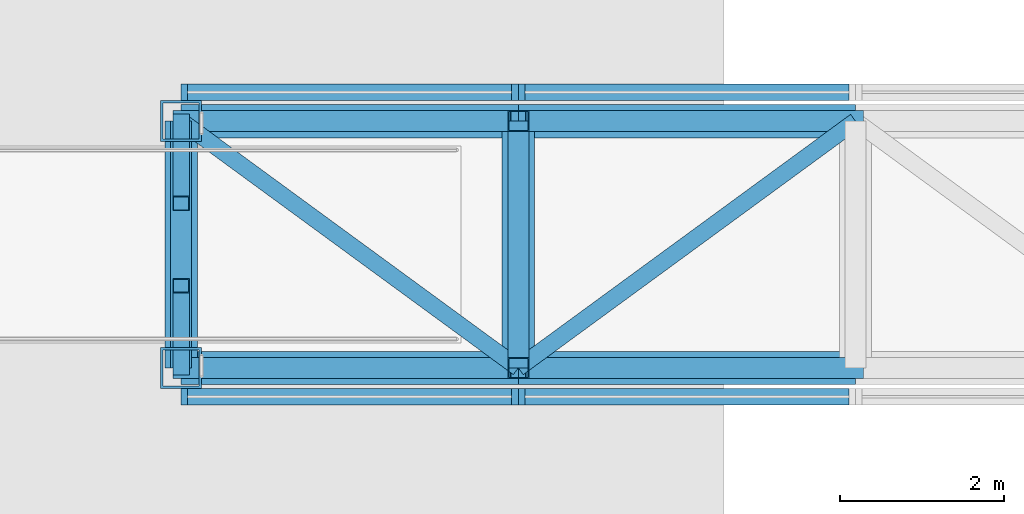
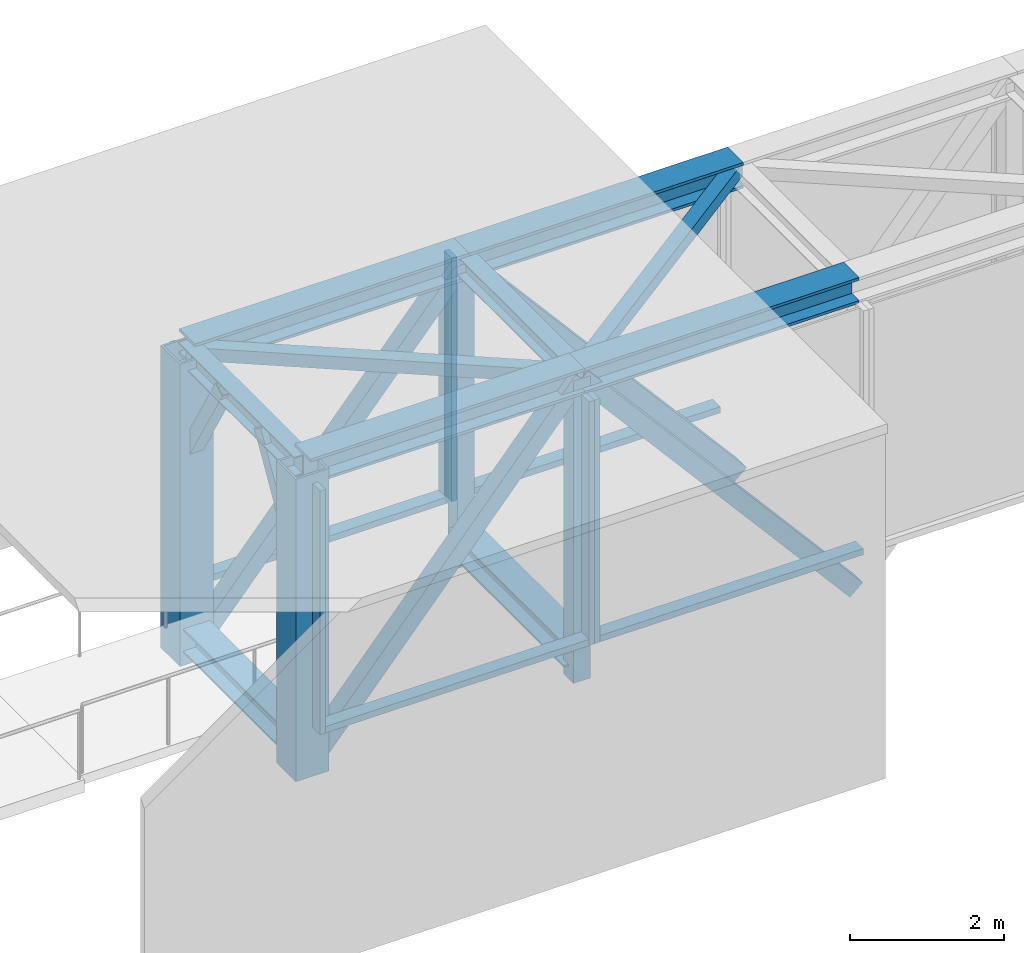
# One storey, part 6 of 28: 26 members, 4 beams, 4 elements without a shape of their own.
"""IFC4 building model written with IfcOpenShell, lengths in metres."""

from ifc_helpers import new_model, si_unit, direction, frame, origin, origin_2d, place, context, subcontext, project, spatial, rectangle, hollow_rectangle, i_section, extrude, material, material_profile, profile_set, type_object, element, aggregate, save


model = new_model("IFC4")

# Units and contexts
model_context = context("Model", 3, precision=1e-05, world=origin(), true_north=direction((0.0, 1.0)))
body_context = subcontext(model_context, "Body", "Model", "MODEL_VIEW")
ifc_project = project(units=[si_unit("LENGTHUNIT", "METRE"), si_unit("AREAUNIT", "SQUARE_METRE"), si_unit("VOLUMEUNIT", "CUBIC_METRE"), si_unit("PLANEANGLEUNIT", "RADIAN"), si_unit("MASSUNIT", "GRAM", prefix="KILO")], contexts=[model_context])

# Site, building, storey
site_placement = place(None, origin())
site = spatial("IfcSite", under=ifc_project, at=site_placement, CompositionType="ELEMENT")
building_placement = place(site_placement, origin())
building = spatial("IfcBuilding", under=site, at=building_placement, Name="Iwan Alto Co-Living Towers", CompositionType="ELEMENT")
storey_placement = place(building_placement, frame((0.0, 0.0, 98.0)))
storey = spatial("IfcBuildingStorey", under=building, at=storey_placement, Name="L26", CompositionType="ELEMENT", Elevation=98.0)

# Members
ifc_material_1 = material(Name="Steel ASTM A572 Gr 50", Category="steel")
ifc_material_profile_1 = material_profile(ifc_material_1, hollow_rectangle(XDim=0.5, YDim=0.5, WallThickness=0.031982421875, at=origin_2d()), Name="BOX 500X500X32")
ifc_profile_set_1 = profile_set([ifc_material_profile_1], Name="Steel ASTM A572 Gr 50")
member_type_1 = type_object("IfcMemberType", Name="BRIDGE END POST BOX 500X500X32", PredefinedType="POST", material=ifc_profile_set_1)
for number, where, z_axis, x_axis, name in (
    (1, (31.89990234375, -1.5, -0.779052734375), (0.0, 0.0, 1.0), (1.0, 0.0, 0.0), "BR1 truss S end post 1"),
    (2, (31.89990234375, 1.5, -0.779052734375), (0.0, 0.0, 1.0), (1.0, 0.0, 0.0), "BR1 truss N end post 1"),
):
    element("IfcMember", number, at=place(storey_placement, frame(where, z_axis=z_axis, x_axis=x_axis)), inside=storey, type_object=member_type_1, Name=name, PredefinedType="POST", context=body_context, shape_type="SweptSolid", body=[
        extrude(hollow_rectangle(XDim=0.5, YDim=0.5, WallThickness=0.031982421875, at=origin_2d()), origin(), (0.0, 0.0, 1.0), 4.779052734375),
    ])

# Beams
ifc_material_2 = material(Name="Steel ASTM A992 Gr 50", Category="steel")
ifc_material_profile_2 = material_profile(ifc_material_2, i_section(OverallWidth=0.393798828125, OverallDepth=0.3759765625, WebThickness=0.017333984375, FlangeThickness=0.027587890625, at=origin_2d()), Name="W14X145")
ifc_profile_set_2 = profile_set([ifc_material_profile_2], Name="Steel ASTM A992 Gr 50")
beam_type_1 = type_object("IfcBeamType", Name="BRIDGE FLOOR BEAM W14X145", PredefinedType="BEAM", material=ifc_profile_set_2)
for number, where, z_axis, x_axis, name in (
    (3, (31.89990234375, -1.5, -0.387939453125), (0.0, 1.0, 0.0), (-1.0, 0.0, 0.0), "BR1 floor beam 1"),
    (4, (36.0, -1.5, -0.387939453125), (0.0, 1.0, 0.0), (-1.0, 0.0, 0.0), "BR1 floor beam 2"),
):
    element("IfcBeam", number, at=place(storey_placement, frame(where, z_axis=z_axis, x_axis=x_axis)), inside=storey, type_object=beam_type_1, Name=name, PredefinedType="BEAM", context=body_context, shape_type="SweptSolid", body=[
        extrude(i_section(OverallWidth=0.393798828125, OverallDepth=0.3759765625, WebThickness=0.017333984375, FlangeThickness=0.027587890625, at=origin_2d()), origin(), (0.0, 0.0, 1.0), 3.0),
    ])

# Members
ifc_material_3 = material(Name="Steel ASTM A500 Gr C", Category="steel")
ifc_material_profile_3 = material_profile(ifc_material_3, hollow_rectangle(XDim=0.203125, YDim=0.203125, WallThickness=0.01171875, at=origin_2d()), Name="HSS8X8X1/2")
ifc_profile_set_3 = profile_set([ifc_material_profile_3], Name="Steel ASTM A500 Gr C")
member_type_2 = type_object("IfcMemberType", Name="BRIDGE PORTAL KNEE BRACE HSS8X8X1/2", PredefinedType="BRACE", material=ifc_profile_set_3)
for number, where, z_axis, x_axis, name in (
    (5, (31.89990234375, -1.5, 2.300048828125), (0.0, 0.50703094594, 0.861927850727), (-1.0, 0.0, 0.0), "BR1 end portal knee brace T1 S"),
    (6, (31.89990234375, 1.5, 2.300048828125), (0.0, -0.50703094594, 0.861927850727), (1.0, 0.0, 0.0), "BR1 end portal knee brace T1 N"),
):
    element("IfcMember", number, at=place(storey_placement, frame(where, z_axis=z_axis, x_axis=x_axis)), inside=storey, type_object=member_type_2, Name=name, PredefinedType="BRACE", context=body_context, shape_type="SweptSolid", body=[
        extrude(hollow_rectangle(XDim=0.203125, YDim=0.203125, WallThickness=0.01171875, at=origin_2d()), origin(), (0.0, 0.0, 1.0), 1.97216796875),
    ])

# Beams
ifc_material_4 = material(Name="Steel ASTM A992 Gr 50", Category="steel")
ifc_material_profile_4 = material_profile(ifc_material_4, i_section(OverallWidth=0.25390625, OverallDepth=0.307373046875, WebThickness=0.0087890625, FlangeThickness=0.0146484375, at=origin_2d()), Name="W12X53")
ifc_profile_set_4 = profile_set([ifc_material_profile_4], Name="Steel ASTM A992 Gr 50")
beam_type_2 = type_object("IfcBeamType", Name="BRIDGE ROOF BEAM W12X53", PredefinedType="BEAM", material=ifc_profile_set_4)
for number, where, z_axis, x_axis, name in (
    (7, (31.89990234375, -1.5, 4.0), (0.0, 1.0, 0.0), (-1.0, 0.0, 0.0), "BR1 roof beam 1"),
    (8, (36.0, -1.5, 4.0), (0.0, 1.0, 0.0), (-1.0, 0.0, 0.0), "BR1 roof beam 2"),
):
    element("IfcBeam", number, at=place(storey_placement, frame(where, z_axis=z_axis, x_axis=x_axis)), inside=storey, type_object=beam_type_2, Name=name, PredefinedType="BEAM", context=body_context, shape_type="SweptSolid", body=[
        extrude(i_section(OverallWidth=0.25390625, OverallDepth=0.307373046875, WebThickness=0.0087890625, FlangeThickness=0.0146484375, at=origin_2d()), origin(), (0.0, 0.0, 1.0), 3.0),
    ])

# Members
ifc_material_5 = material(Name="Steel ASTM A500 Gr C", Category="steel")
ifc_material_profile_5 = material_profile(ifc_material_5, hollow_rectangle(XDim=0.203125, YDim=0.203125, WallThickness=0.01171875, at=origin_2d()), Name="HSS8X8X1/2")
ifc_profile_set_5 = profile_set([ifc_material_profile_5], Name="Steel ASTM A500 Gr C")
member_type_3 = type_object("IfcMemberType", Name="BRIDGE TOP LATERAL BRACE HSS8X8X1/2", PredefinedType="BRACE", material=ifc_profile_set_5)
for number, where, z_axis, x_axis, name in (
    (9, (31.89990234375, 1.5, 4.0), (0.807037028369, -0.590500833905, 0.0), (0.590500833905, 0.807037028369, 0.0), "BR1 top lateral brace 1"),
    (10, (36.0, -1.5, 4.0), (0.807037028369, 0.590500833905, 0.0), (-0.590500833905, 0.807037028369, 0.0), "BR1 top lateral brace 2"),
):
    element("IfcMember", number, at=place(storey_placement, frame(where, z_axis=z_axis, x_axis=x_axis)), inside=storey, type_object=member_type_3, Name=name, PredefinedType="BRACE", context=body_context, shape_type="SweptSolid", body=[
        extrude(hollow_rectangle(XDim=0.203125, YDim=0.203125, WallThickness=0.01171875, at=origin_2d()), origin(), (0.0, 0.0, 1.0), 5.080322265625),
    ])
ifc_material_6 = material(Name="Steel ASTM A992 Gr 50", Category="steel")
ifc_material_profile_6 = material_profile(ifc_material_6, i_section(OverallWidth=0.40380859375, OverallDepth=0.406494140625, WebThickness=0.027099609375, FlangeThickness=0.043701171875, at=origin_2d()), Name="W14X233")
ifc_profile_set_6 = profile_set([ifc_material_profile_6], Name="Steel ASTM A992 Gr 50")
member_type_4 = type_object("IfcMemberType", Name="BRIDGE TRUSS CHORD W14X233", PredefinedType="CHORD", material=ifc_profile_set_6)
for number, where, z_axis, x_axis, name in (
    (11, (31.89990234375, -1.5, 4.0), (1.0, 0.0, 0.0), (0.0, 1.0, 0.0), "BR1 truss S top chord 1"),
    (12, (36.0, -1.5, 4.0), (1.0, 0.0, 0.0), (0.0, 1.0, 0.0), "BR1 truss S top chord 2"),
    (13, (31.89990234375, 1.5, 4.0), (1.0, 0.0, 0.0), (0.0, 1.0, 0.0), "BR1 truss N top chord 1"),
    (14, (36.0, 1.5, 4.0), (1.0, 0.0, 0.0), (0.0, 1.0, 0.0), "BR1 truss N top chord 2"),
):
    element("IfcMember", number, at=place(storey_placement, frame(where, z_axis=z_axis, x_axis=x_axis)), inside=storey, type_object=member_type_4, Name=name, PredefinedType="CHORD", context=body_context, shape_type="SweptSolid", body=[
        extrude(i_section(OverallWidth=0.40380859375, OverallDepth=0.406494140625, WebThickness=0.027099609375, FlangeThickness=0.043701171875, at=origin_2d()), origin(), (0.0, 0.0, 1.0), 4.10009765625),
    ])
ifc_material_7 = material(Name="Steel ASTM A500 Gr C", Category="steel")
ifc_material_profile_7 = material_profile(ifc_material_7, hollow_rectangle(XDim=0.25390625, YDim=0.25390625, WallThickness=0.01171875, at=origin_2d()), Name="HSS10X10X1/2")
ifc_profile_set_7 = profile_set([ifc_material_profile_7], Name="Steel ASTM A500 Gr C")
member_type_5 = type_object("IfcMemberType", Name="BRIDGE TRUSS VERTICAL HSS10X10X1/2", PredefinedType="POST", material=ifc_profile_set_7)
for number, where, z_axis, x_axis, name in (
    (15, (36.0, -1.5, -0.779052734375), (0.0, 0.0, 1.0), (1.0, 0.0, 0.0), "BR1 truss S vertical 1"),
    (16, (36.0, 1.5, -0.779052734375), (0.0, 0.0, 1.0), (1.0, 0.0, 0.0), "BR1 truss N vertical 1"),
):
    element("IfcMember", number, at=place(storey_placement, frame(where, z_axis=z_axis, x_axis=x_axis)), inside=storey, type_object=member_type_5, Name=name, PredefinedType="POST", context=body_context, shape_type="SweptSolid", body=[
        extrude(hollow_rectangle(XDim=0.25390625, YDim=0.25390625, WallThickness=0.01171875, at=origin_2d()), origin(), (0.0, 0.0, 1.0), 4.779052734375),
    ])
ifc_material_8 = material(Name="Steel ASTM A500 Gr C", Category="steel")
ifc_material_profile_8 = material_profile(ifc_material_8, hollow_rectangle(XDim=0.25390625, YDim=0.25390625, WallThickness=0.01171875, at=origin_2d()), Name="HSS10X10X1/2")
ifc_profile_set_8 = profile_set([ifc_material_profile_8], Name="Steel ASTM A500 Gr C")
member_type_6 = type_object("IfcMemberType", Name="BRIDGE TRUSS WEB HSS10X10X1/2", PredefinedType="BRACE", material=ifc_profile_set_8)
for number, where, z_axis, x_axis, name in (
    (17, (31.89990234375, -1.5, -0.779052734375), (0.651136148628, 0.0, 0.758960944944), (0.0, 1.0, 0.0), "BR1 truss S diagonal 1"),
    (18, (36.0, -1.5, 4.0), (0.651136148628, 0.0, -0.758960944944), (0.0, 1.0, 0.0), "BR1 truss S diagonal 2"),
    (19, (31.89990234375, 1.5, -0.779052734375), (0.651136148628, 0.0, 0.758960944944), (0.0, 1.0, 0.0), "BR1 truss N diagonal 1"),
    (20, (36.0, 1.5, 4.0), (0.651136148628, 0.0, -0.758960944944), (0.0, 1.0, 0.0), "BR1 truss N diagonal 2"),
):
    element("IfcMember", number, at=place(storey_placement, frame(where, z_axis=z_axis, x_axis=x_axis)), inside=storey, type_object=member_type_6, Name=name, PredefinedType="BRACE", context=body_context, shape_type="SweptSolid", body=[
        extrude(hollow_rectangle(XDim=0.25390625, YDim=0.25390625, WallThickness=0.01171875, at=origin_2d()), origin(), (0.0, 0.0, 1.0), 6.296875),
    ])

# Curtain wall, members
ifc_material_9 = material(Name="Bronze aluminium stick frame", Category="aluminium")
curtain_wall_type = type_object("IfcCurtainWallType", Name="CURTAIN WALL CW-F", PredefinedType="NOTDEFINED", material=ifc_material_9)
curtain_wall_1_placement = place(storey_placement, origin())
curtain_wall_1 = element("IfcCurtainWall", 21, at=curtain_wall_1_placement, inside=storey, type_object=curtain_wall_type, Name="Skybridge BR1 glazing S 1", PredefinedType="NOTDEFINED")
ifc_material_10 = material(Name="Aluminium 6063-T6 bronze anodised", Category="aluminium")
ifc_material_profile_9 = material_profile(ifc_material_10, rectangle(XDim=0.199951171875, YDim=0.080078125, at=origin_2d()), Name="AL 80X200")
ifc_profile_set_9 = profile_set([ifc_material_profile_9], Name="Aluminium 6063-T6 bronze anodised")
member_type_7 = type_object("IfcMemberType", Name="CW-F MULLION 80X200", PredefinedType="MULLION", material=ifc_profile_set_9)
member_1_placement = place(storey_placement, frame((31.93994140625, -1.85009765625, 0.0), z_axis=(0.0, 0.0, 1.0), x_axis=(0.0, 1.0, 0.0)))
member_1 = element("IfcMember", 22, at=member_1_placement, type_object=member_type_7, Name="CW-F mullion 1", PredefinedType="MULLION", context=body_context, shape_type="SweptSolid", body=[
    extrude(rectangle(XDim=0.199951171875, YDim=0.080078125, at=origin_2d()), origin(), (0.0, 0.0, 1.0), 3.85009765625),
])
member_2_placement = place(storey_placement, frame((35.9599609375, -1.85009765625, 0.0), z_axis=(0.0, 0.0, 1.0), x_axis=(0.0, 1.0, 0.0)))
member_2 = element("IfcMember", 23, at=member_2_placement, type_object=member_type_7, Name="CW-F mullion 2", PredefinedType="MULLION", context=body_context, shape_type="SweptSolid", body=[
    extrude(rectangle(XDim=0.199951171875, YDim=0.080078125, at=origin_2d()), origin(), (0.0, 0.0, 1.0), 3.85009765625),
])

# Curtain wall, member
curtain_wall_2_placement = place(storey_placement, origin())
curtain_wall_2 = element("IfcCurtainWall", 24, at=curtain_wall_2_placement, inside=storey, type_object=curtain_wall_type, Name="Skybridge BR1 glazing S 2", PredefinedType="NOTDEFINED")
member_3_placement = place(storey_placement, frame((36.0400390625, -1.85009765625, 0.0), z_axis=(0.0, 0.0, 1.0), x_axis=(0.0, 1.0, 0.0)))
member_3 = element("IfcMember", 25, at=member_3_placement, type_object=member_type_7, Name="CW-F mullion 1", PredefinedType="MULLION", context=body_context, shape_type="SweptSolid", body=[
    extrude(rectangle(XDim=0.199951171875, YDim=0.080078125, at=origin_2d()), origin(), (0.0, 0.0, 1.0), 3.85009765625),
])

# Curtain wall, members
curtain_wall_3_placement = place(storey_placement, origin())
curtain_wall_3 = element("IfcCurtainWall", 26, at=curtain_wall_3_placement, inside=storey, type_object=curtain_wall_type, Name="Skybridge BR1 glazing N 1", PredefinedType="NOTDEFINED")
member_4_placement = place(storey_placement, frame((35.9599609375, 1.85009765625, 0.0), z_axis=(0.0, 0.0, 1.0), x_axis=(0.0, -1.0, 0.0)))
member_4 = element("IfcMember", 27, at=member_4_placement, type_object=member_type_7, Name="CW-F mullion 1", PredefinedType="MULLION", context=body_context, shape_type="SweptSolid", body=[
    extrude(rectangle(XDim=0.199951171875, YDim=0.080078125, at=origin_2d()), origin(), (0.0, 0.0, 1.0), 3.85009765625),
])
member_5_placement = place(storey_placement, frame((31.93994140625, 1.85009765625, 0.0), z_axis=(0.0, 0.0, 1.0), x_axis=(0.0, -1.0, 0.0)))
member_5 = element("IfcMember", 28, at=member_5_placement, type_object=member_type_7, Name="CW-F mullion 2", PredefinedType="MULLION", context=body_context, shape_type="SweptSolid", body=[
    extrude(rectangle(XDim=0.199951171875, YDim=0.080078125, at=origin_2d()), origin(), (0.0, 0.0, 1.0), 3.85009765625),
])

# Curtain wall, member
curtain_wall_4_placement = place(storey_placement, origin())
curtain_wall_4 = element("IfcCurtainWall", 29, at=curtain_wall_4_placement, inside=storey, type_object=curtain_wall_type, Name="Skybridge BR1 glazing N 2", PredefinedType="NOTDEFINED")
member_6_placement = place(storey_placement, frame((36.0400390625, 1.85009765625, 0.0), z_axis=(0.0, 0.0, 1.0), x_axis=(0.0, -1.0, 0.0)))
member_6 = element("IfcMember", 30, at=member_6_placement, type_object=member_type_7, Name="CW-F mullion 2", PredefinedType="MULLION", context=body_context, shape_type="SweptSolid", body=[
    extrude(rectangle(XDim=0.199951171875, YDim=0.080078125, at=origin_2d()), origin(), (0.0, 0.0, 1.0), 3.85009765625),
])

# Member
ifc_material_11 = material(Name="Aluminium 6063-T6 bronze anodised", Category="aluminium")
ifc_material_profile_10 = material_profile(ifc_material_11, rectangle(XDim=0.199951171875, YDim=0.10009765625, at=origin_2d()), Name="AL 200X100")
ifc_profile_set_10 = profile_set([ifc_material_profile_10], Name="Aluminium 6063-T6 bronze anodised")
member_type_8 = type_object("IfcMemberType", Name="CW-F TRANSOM 200X100", PredefinedType="USERDEFINED", material=ifc_profile_set_10)
member_7_placement = place(storey_placement, frame((31.97998046875, -1.85009765625, 0.050048828125), z_axis=(1.0, 0.0, 0.0), x_axis=(0.0, 1.0, 0.0)))
member_7 = element("IfcMember", 31, at=member_7_placement, type_object=member_type_8, Name="CW-F transom 1.1", ObjectType="TRANSOM", PredefinedType="USERDEFINED", context=body_context, shape_type="SweptSolid", body=[
    extrude(rectangle(XDim=0.199951171875, YDim=0.10009765625, at=origin_2d()), origin(), (0.0, 0.0, 1.0), 3.93994140625),
])

aggregate(curtain_wall_1, [member_1, member_2, member_7])

member_8_placement = place(storey_placement, frame((36.080078125, -1.85009765625, 0.050048828125), z_axis=(1.0, 0.0, 0.0), x_axis=(0.0, 1.0, 0.0)))
member_8 = element("IfcMember", 32, at=member_8_placement, type_object=member_type_8, Name="CW-F transom 1.1", ObjectType="TRANSOM", PredefinedType="USERDEFINED", context=body_context, shape_type="SweptSolid", body=[
    extrude(rectangle(XDim=0.199951171875, YDim=0.10009765625, at=origin_2d()), origin(), (0.0, 0.0, 1.0), 3.93994140625),
])

aggregate(curtain_wall_2, [member_3, member_8])

member_9_placement = place(storey_placement, frame((35.919921875, 1.85009765625, 0.050048828125), z_axis=(-1.0, 0.0, 0.0), x_axis=(0.0, -1.0, 0.0)))
member_9 = element("IfcMember", 33, at=member_9_placement, type_object=member_type_8, Name="CW-F transom 1.1", ObjectType="TRANSOM", PredefinedType="USERDEFINED", context=body_context, shape_type="SweptSolid", body=[
    extrude(rectangle(XDim=0.199951171875, YDim=0.10009765625, at=origin_2d()), origin(), (0.0, 0.0, 1.0), 3.93994140625),
])

aggregate(curtain_wall_3, [member_4, member_5, member_9])

member_10_placement = place(storey_placement, frame((40.02001953125, 1.85009765625, 0.050048828125), z_axis=(-1.0, 0.0, 0.0), x_axis=(0.0, -1.0, 0.0)))
member_10 = element("IfcMember", 34, at=member_10_placement, type_object=member_type_8, Name="CW-F transom 1.1", ObjectType="TRANSOM", PredefinedType="USERDEFINED", context=body_context, shape_type="SweptSolid", body=[
    extrude(rectangle(XDim=0.199951171875, YDim=0.10009765625, at=origin_2d()), origin(), (0.0, 0.0, 1.0), 3.93994140625),
])

aggregate(curtain_wall_4, [member_6, member_10])

save(model, "model.ifc")
